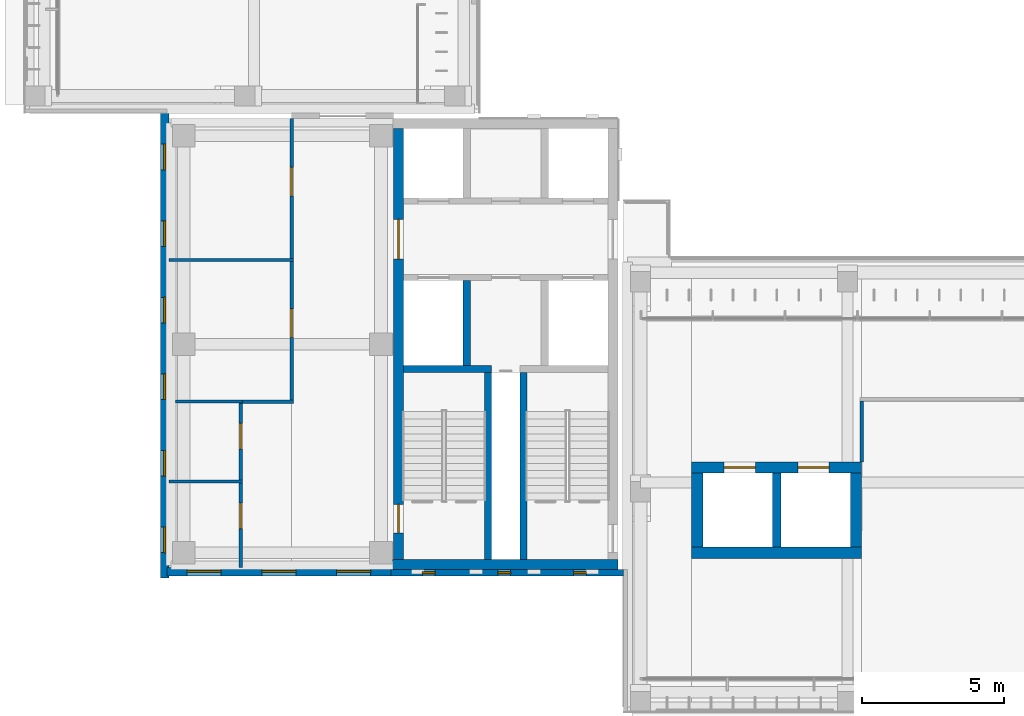
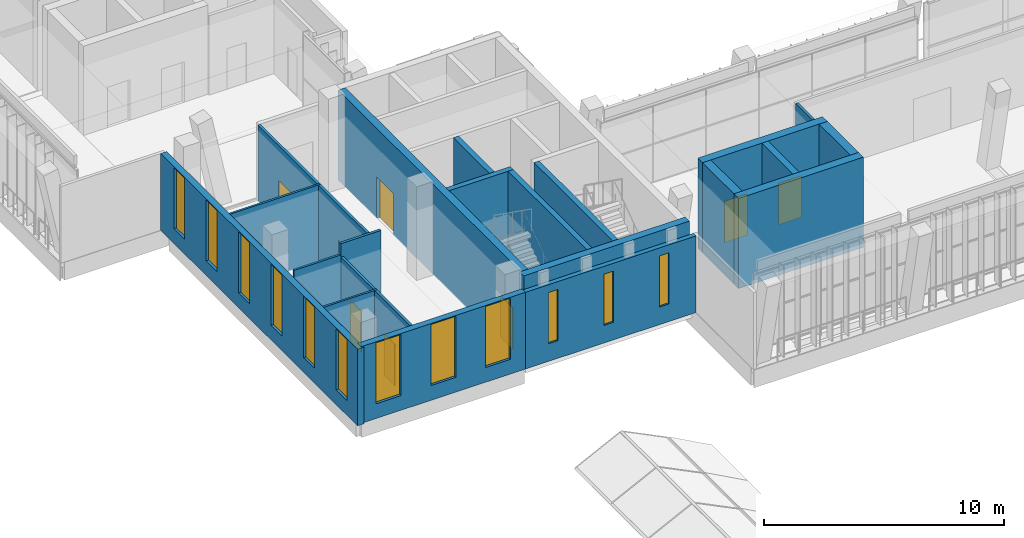
# One storey, part 42 of 73: 21 walls, 12 windows, 8 doors, 20 openings.
"""IFC4 building model written with IfcOpenShell, lengths in metres."""

from ifc_helpers import new_model, si_unit, direction, frame, frame_2d, origin, place, context, subcontext, project, spatial, rectangle, extrude, material, layer, layer_set, type_object, element, fill, save


model = new_model("IFC4")

# Units and contexts
model_context = context("Model", 3, precision=1e-05, world=origin(), true_north=direction((0.0, 1.0)))
body_context = subcontext(model_context, "Body", "Model", "MODEL_VIEW")
ifc_project = project(units=[si_unit("LENGTHUNIT", "METRE"), si_unit("AREAUNIT", "SQUARE_METRE"), si_unit("VOLUMEUNIT", "CUBIC_METRE"), si_unit("PLANEANGLEUNIT", "RADIAN"), si_unit("MASSUNIT", "GRAM", prefix="KILO")], contexts=[model_context])

# Site, building, storey
site_placement = place(None, origin())
site = spatial("IfcSite", under=ifc_project, at=site_placement, CompositionType="ELEMENT")
building_placement = place(site_placement, origin())
building = spatial("IfcBuilding", under=site, at=building_placement, Name="Lantern Court Media Centre", CompositionType="ELEMENT")
storey_placement = place(building_placement, frame((0.0, 0.0, 24.0)))
storey = spatial("IfcBuildingStorey", under=building, at=storey_placement, Name="L05", CompositionType="ELEMENT", Elevation=24.0)

# Wall
ifc_material_1 = material(Name="Gypsum board partition")
ifc_layer_1 = layer(ifc_material_1, 0.125)
ifc_layer_set_1 = layer_set([ifc_layer_1], Name="Gypsum board partition")
wall_type_1 = type_object("IfcWallType", Name="Corridor partition 125", PredefinedType="PARTITIONING", material=ifc_layer_set_1)
wall_1_placement = place(storey_placement, frame((32.5, 51.800048828125, 0.0), z_axis=(0.0, 0.0, 1.0), x_axis=(0.0, 1.0, 0.0)))
element("IfcWall", 1, at=wall_1_placement, inside=storey, type_object=wall_type_1, Name="L05 partition 000", PredefinedType="PARTITIONING", context=body_context, shape_type="SweptSolid", body=[
    extrude(rectangle(XDim=2.137451171875, YDim=0.125, at=frame_2d((1.06884765625, 0.0))), origin(), (0.0, 0.0, 1.0), 3.97998046875),
])

# Wall, openings, doors
wall_2_placement = place(storey_placement, frame((12.39990234375, 53.98583984375, 0.0), z_axis=(0.0, 0.0, 1.0), x_axis=(0.0, 1.0, 0.0)))
wall_2 = element("IfcWall", 2, at=wall_2_placement, inside=storey, type_object=wall_type_1, Name="L05 partition 025", PredefinedType="PARTITIONING", context=body_context, shape_type="SweptSolid", body=[
    extrude(rectangle(XDim=9.9140625, YDim=0.125, at=frame_2d((4.95703125, 0.0))), origin(), (0.0, 0.0, 1.0), 3.8798828125),
])
opening_1_placement = place(wall_2_placement, frame((2.20654296875, 0.0, 0.0)))
opening_1 = element("IfcOpeningElement", 3, at=opening_1_placement, cuts=wall_2, Name="Opening L05-015", PredefinedType="OPENING", context=body_context, shape_type="SweptSolid", body=[
    extrude(rectangle(XDim=1.0, YDim=2.10009765625, at=frame_2d((0.5, 1.050048828125))), frame((0.0, 0.072509765625, 0.0), z_axis=(0.0, -1.0, 0.0), x_axis=(1.0, 0.0, 0.0)), (0.0, 0.0, 1.0), 0.14501953125),
])
opening_2_placement = place(wall_2_placement, frame((7.195068359375, 0.0, 0.0)))
opening_2 = element("IfcOpeningElement", 4, at=opening_2_placement, cuts=wall_2, Name="Opening L05-016", PredefinedType="OPENING", context=body_context, shape_type="SweptSolid", body=[
    extrude(rectangle(XDim=1.0, YDim=2.10009765625, at=frame_2d((0.5, 1.050048828125))), frame((0.0, 0.072509765625, 0.0), z_axis=(0.0, -1.0, 0.0), x_axis=(1.0, 0.0, 0.0)), (0.0, 0.0, 1.0), 0.14501953125),
])
ifc_material_2 = material(Name="Solid-core timber door leaf", Category="wood")
door_type_1 = type_object("IfcDoorType", Name="Single door 1000x2100", OperationType="NOTDEFINED", PredefinedType="DOOR", material=ifc_material_2)
door_1_placement = place(opening_1_placement, origin())
door_1 = element("IfcDoor", 5, at=door_1_placement, inside=storey, type_object=door_type_1, Name="L05 Community Room 04 door", OperationType="SINGLE_SWING_RIGHT", OverallHeight=2.10009765625, OverallWidth=1.0, PredefinedType="DOOR", context=body_context, shape_type="SweptSolid", body=[
    extrude(rectangle(XDim=1.0, YDim=2.10009765625, at=frame_2d((0.5, 1.050048828125))), frame((0.0, 0.02490234375, 0.0), z_axis=(0.0, -1.0, 0.0), x_axis=(1.0, 0.0, 0.0)), (0.0, 0.0, 1.0), 0.050048828125),
])
fill(opening_1, door_1)
door_2_placement = place(opening_2_placement, origin())
door_2 = element("IfcDoor", 6, at=door_2_placement, inside=storey, type_object=door_type_1, Name="L05 Community Room 05 door", OperationType="SINGLE_SWING_LEFT", OverallHeight=2.10009765625, OverallWidth=1.0, PredefinedType="DOOR", context=body_context, shape_type="SweptSolid", body=[
    extrude(rectangle(XDim=1.0, YDim=2.10009765625, at=frame_2d((0.5, 1.050048828125))), frame((0.0, 0.02490234375, 0.0), z_axis=(0.0, -1.0, 0.0), x_axis=(1.0, 0.0, 0.0)), (0.0, 0.0, 1.0), 0.050048828125),
])
fill(opening_2, door_2)

# Wall
wall_3_placement = place(storey_placement, frame((10.53759765625, 53.923095703125, 0.0), z_axis=(0.0, 0.0, 1.0), x_axis=(1.0, 0.0, 0.0)))
element("IfcWall", 7, at=wall_3_placement, inside=storey, type_object=wall_type_1, Name="L05 partition 028", PredefinedType="PARTITIONING", context=body_context, shape_type="SweptSolid", body=[
    extrude(rectangle(XDim=1.9248046875, YDim=0.125, at=frame_2d((0.96240234375, 0.0))), origin(), (0.0, 0.0, 1.0), 4.56005859375),
])

# Wall, openings, doors
wall_4_placement = place(storey_placement, frame((10.60009765625, 48.080078125, 0.0), z_axis=(0.0, 0.0, 1.0), x_axis=(0.0, 1.0, 0.0)))
wall_4 = element("IfcWall", 8, at=wall_4_placement, inside=storey, type_object=wall_type_1, Name="L05 partition 030", PredefinedType="PARTITIONING", context=body_context, shape_type="SweptSolid", body=[
    extrude(rectangle(XDim=5.78076171875, YDim=0.125, at=frame_2d((2.890380859375, 0.0))), origin(), (0.0, 0.0, 1.0), 3.8798828125),
])
opening_3_placement = place(wall_4_placement, frame((1.36767578125, 0.0, 0.0)))
opening_3 = element("IfcOpeningElement", 9, at=opening_3_placement, cuts=wall_4, Name="Opening L05-017", PredefinedType="OPENING", context=body_context, shape_type="SweptSolid", body=[
    extrude(rectangle(XDim=0.89990234375, YDim=2.10009765625, at=frame_2d((0.449951171875, 1.050048828125))), frame((0.0, 0.072509765625, 0.0), z_axis=(0.0, -1.0, 0.0), x_axis=(1.0, 0.0, 0.0)), (0.0, 0.0, 1.0), 0.14501953125),
])
opening_4_placement = place(wall_4_placement, frame((4.17919921875, 0.0, 0.0)))
opening_4 = element("IfcOpeningElement", 10, at=opening_4_placement, cuts=wall_4, Name="Opening L05-018", PredefinedType="OPENING", context=body_context, shape_type="SweptSolid", body=[
    extrude(rectangle(XDim=0.89990234375, YDim=2.10009765625, at=frame_2d((0.449951171875, 1.050048828125))), frame((0.0, 0.072509765625, 0.0), z_axis=(0.0, -1.0, 0.0), x_axis=(1.0, 0.0, 0.0)), (0.0, 0.0, 1.0), 0.14501953125),
])
door_type_2 = type_object("IfcDoorType", Name="Single door 900x2100", OperationType="NOTDEFINED", PredefinedType="DOOR", material=ifc_material_2)
door_3_placement = place(opening_3_placement, origin())
door_3 = element("IfcDoor", 11, at=door_3_placement, inside=storey, type_object=door_type_2, Name="L05 WC Male door", OperationType="SINGLE_SWING_RIGHT", OverallHeight=2.10009765625, OverallWidth=0.89990234375, PredefinedType="DOOR", context=body_context, shape_type="SweptSolid", body=[
    extrude(rectangle(XDim=0.89990234375, YDim=2.10009765625, at=frame_2d((0.449951171875, 1.050048828125))), frame((0.0, 0.02490234375, 0.0), z_axis=(0.0, -1.0, 0.0), x_axis=(1.0, 0.0, 0.0)), (0.0, 0.0, 1.0), 0.050048828125),
])
fill(opening_3, door_3)
door_4_placement = place(opening_4_placement, origin())
door_4 = element("IfcDoor", 12, at=door_4_placement, inside=storey, type_object=door_type_2, Name="L05 WC Female door", OperationType="SINGLE_SWING_LEFT", OverallHeight=2.10009765625, OverallWidth=0.89990234375, PredefinedType="DOOR", context=body_context, shape_type="SweptSolid", body=[
    extrude(rectangle(XDim=0.89990234375, YDim=2.10009765625, at=frame_2d((0.449951171875, 1.050048828125))), frame((0.0, 0.02490234375, 0.0), z_axis=(0.0, -1.0, 0.0), x_axis=(1.0, 0.0, 0.0)), (0.0, 0.0, 1.0), 0.050048828125),
])
fill(opening_4, door_4)

# Wall, openings, windows
ifc_material_3 = material(Name="Honed limestone cladding on blockwork", Category="masonry")
ifc_layer_2 = layer(ifc_material_3, 0.300048828125)
ifc_layer_set_2 = layer_set([ifc_layer_2], Name="Honed limestone cladding on blockwork")
wall_type_2 = type_object("IfcWallType", Name="Limestone block wall 300", PredefinedType="SOLIDWALL", material=ifc_layer_set_2)
wall_5_placement = place(storey_placement, frame((7.929931640625, 47.699951171875, 0.0), z_axis=(0.0, 0.0, 1.0), x_axis=(0.0, 1.0, 0.0)))
wall_5 = element("IfcWall", 13, at=wall_5_placement, inside=storey, type_object=wall_type_2, Name="Limestone wall SW W L05", PredefinedType="SOLIDWALL", context=body_context, shape_type="SweptSolid", body=[
    extrude(rectangle(XDim=16.400146484375, YDim=0.300048828125, at=frame_2d((8.2001953125, 0.0))), origin(), (0.0, 0.0, 1.0), 3.89990234375),
])
opening_5_placement = place(wall_5_placement, frame((0.89990234375, 0.0, 0.75)))
opening_5 = element("IfcOpeningElement", 14, at=opening_5_placement, cuts=wall_5, Name="Opening WN-N", PredefinedType="OPENING", context=body_context, shape_type="SweptSolid", body=[
    extrude(rectangle(XDim=0.89990234375, YDim=3.10009765625, at=frame_2d((0.449951171875, 1.550048828125))), frame((0.0, 0.159912109375, 0.0), z_axis=(0.0, -1.0, 0.0), x_axis=(1.0, 0.0, 0.0)), (0.0, 0.0, 1.0), 0.320068359375),
])
opening_6_placement = place(wall_5_placement, frame((3.60009765625, 0.0, 0.75)))
opening_6 = element("IfcOpeningElement", 15, at=opening_6_placement, cuts=wall_5, Name="Opening WN-N", PredefinedType="OPENING", context=body_context, shape_type="SweptSolid", body=[
    extrude(rectangle(XDim=0.89990234375, YDim=3.10009765625, at=frame_2d((0.449951171875, 1.550048828125))), frame((0.0, 0.159912109375, 0.0), z_axis=(0.0, -1.0, 0.0), x_axis=(1.0, 0.0, 0.0)), (0.0, 0.0, 1.0), 0.320068359375),
])
opening_7_placement = place(wall_5_placement, frame((6.300048828125, 0.0, 0.75)))
opening_7 = element("IfcOpeningElement", 16, at=opening_7_placement, cuts=wall_5, Name="Opening WN-N", PredefinedType="OPENING", context=body_context, shape_type="SweptSolid", body=[
    extrude(rectangle(XDim=0.89990234375, YDim=3.10009765625, at=frame_2d((0.449951171875, 1.550048828125))), frame((0.0, 0.159912109375, 0.0), z_axis=(0.0, -1.0, 0.0), x_axis=(1.0, 0.0, 0.0)), (0.0, 0.0, 1.0), 0.320068359375),
])
opening_8_placement = place(wall_5_placement, frame((9.0, 0.0, 0.75)))
opening_8 = element("IfcOpeningElement", 17, at=opening_8_placement, cuts=wall_5, Name="Opening WN-N", PredefinedType="OPENING", context=body_context, shape_type="SweptSolid", body=[
    extrude(rectangle(XDim=0.89990234375, YDim=3.10009765625, at=frame_2d((0.449951171875, 1.550048828125))), frame((0.0, 0.159912109375, 0.0), z_axis=(0.0, -1.0, 0.0), x_axis=(1.0, 0.0, 0.0)), (0.0, 0.0, 1.0), 0.320068359375),
])
opening_9_placement = place(wall_5_placement, frame((11.699951171875, 0.0, 0.75)))
opening_9 = element("IfcOpeningElement", 18, at=opening_9_placement, cuts=wall_5, Name="Opening WN-N", PredefinedType="OPENING", context=body_context, shape_type="SweptSolid", body=[
    extrude(rectangle(XDim=0.89990234375, YDim=3.10009765625, at=frame_2d((0.449951171875, 1.550048828125))), frame((0.0, 0.159912109375, 0.0), z_axis=(0.0, -1.0, 0.0), x_axis=(1.0, 0.0, 0.0)), (0.0, 0.0, 1.0), 0.320068359375),
])
opening_10_placement = place(wall_5_placement, frame((14.39990234375, 0.0, 0.75)))
opening_10 = element("IfcOpeningElement", 19, at=opening_10_placement, cuts=wall_5, Name="Opening WN-N", PredefinedType="OPENING", context=body_context, shape_type="SweptSolid", body=[
    extrude(rectangle(XDim=0.89990234375, YDim=3.10009765625, at=frame_2d((0.449951171875, 1.550048828125))), frame((0.0, 0.159912109375, 0.0), z_axis=(0.0, -1.0, 0.0), x_axis=(1.0, 0.0, 0.0)), (0.0, 0.0, 1.0), 0.320068359375),
])
ifc_material_4 = material(Name="Anodised aluminium and glass", Category="aluminium")
window_type_1 = type_object("IfcWindowType", Name="Pier window 900x3100", PartitioningType="SINGLE_PANEL", PredefinedType="WINDOW", material=ifc_material_4)
window_1_placement = place(opening_5_placement, origin())
window_1 = element("IfcWindow", 20, at=window_1_placement, inside=storey, type_object=window_type_1, Name="Window SW W L05", OverallHeight=3.10009765625, OverallWidth=0.89990234375, PartitioningType="SINGLE_PANEL", PredefinedType="WINDOW", context=body_context, shape_type="SweptSolid", body=[
    extrude(rectangle(XDim=0.89990234375, YDim=3.10009765625, at=frame_2d((0.449951171875, 1.550048828125))), frame((0.0, 0.030029296875, 0.0), z_axis=(0.0, -1.0, 0.0), x_axis=(1.0, 0.0, 0.0)), (0.0, 0.0, 1.0), 0.06005859375),
])
fill(opening_5, window_1)
window_2_placement = place(opening_6_placement, origin())
window_2 = element("IfcWindow", 21, at=window_2_placement, inside=storey, type_object=window_type_1, Name="Window SW W L05", OverallHeight=3.10009765625, OverallWidth=0.89990234375, PartitioningType="SINGLE_PANEL", PredefinedType="WINDOW", context=body_context, shape_type="SweptSolid", body=[
    extrude(rectangle(XDim=0.89990234375, YDim=3.10009765625, at=frame_2d((0.449951171875, 1.550048828125))), frame((0.0, 0.030029296875, 0.0), z_axis=(0.0, -1.0, 0.0), x_axis=(1.0, 0.0, 0.0)), (0.0, 0.0, 1.0), 0.06005859375),
])
fill(opening_6, window_2)
window_3_placement = place(opening_7_placement, origin())
window_3 = element("IfcWindow", 22, at=window_3_placement, inside=storey, type_object=window_type_1, Name="Window SW W L05", OverallHeight=3.10009765625, OverallWidth=0.89990234375, PartitioningType="SINGLE_PANEL", PredefinedType="WINDOW", context=body_context, shape_type="SweptSolid", body=[
    extrude(rectangle(XDim=0.89990234375, YDim=3.10009765625, at=frame_2d((0.449951171875, 1.550048828125))), frame((0.0, 0.030029296875, 0.0), z_axis=(0.0, -1.0, 0.0), x_axis=(1.0, 0.0, 0.0)), (0.0, 0.0, 1.0), 0.06005859375),
])
fill(opening_7, window_3)
window_4_placement = place(opening_8_placement, origin())
window_4 = element("IfcWindow", 23, at=window_4_placement, inside=storey, type_object=window_type_1, Name="Window SW W L05", OverallHeight=3.10009765625, OverallWidth=0.89990234375, PartitioningType="SINGLE_PANEL", PredefinedType="WINDOW", context=body_context, shape_type="SweptSolid", body=[
    extrude(rectangle(XDim=0.89990234375, YDim=3.10009765625, at=frame_2d((0.449951171875, 1.550048828125))), frame((0.0, 0.030029296875, 0.0), z_axis=(0.0, -1.0, 0.0), x_axis=(1.0, 0.0, 0.0)), (0.0, 0.0, 1.0), 0.06005859375),
])
fill(opening_8, window_4)
window_5_placement = place(opening_9_placement, origin())
window_5 = element("IfcWindow", 24, at=window_5_placement, inside=storey, type_object=window_type_1, Name="Window SW W L05", OverallHeight=3.10009765625, OverallWidth=0.89990234375, PartitioningType="SINGLE_PANEL", PredefinedType="WINDOW", context=body_context, shape_type="SweptSolid", body=[
    extrude(rectangle(XDim=0.89990234375, YDim=3.10009765625, at=frame_2d((0.449951171875, 1.550048828125))), frame((0.0, 0.030029296875, 0.0), z_axis=(0.0, -1.0, 0.0), x_axis=(1.0, 0.0, 0.0)), (0.0, 0.0, 1.0), 0.06005859375),
])
fill(opening_9, window_5)
window_6_placement = place(opening_10_placement, origin())
window_6 = element("IfcWindow", 25, at=window_6_placement, inside=storey, type_object=window_type_1, Name="Window SW W L05", OverallHeight=3.10009765625, OverallWidth=0.89990234375, PartitioningType="SINGLE_PANEL", PredefinedType="WINDOW", context=body_context, shape_type="SweptSolid", body=[
    extrude(rectangle(XDim=0.89990234375, YDim=3.10009765625, at=frame_2d((0.449951171875, 1.550048828125))), frame((0.0, 0.030029296875, 0.0), z_axis=(0.0, -1.0, 0.0), x_axis=(1.0, 0.0, 0.0)), (0.0, 0.0, 1.0), 0.06005859375),
])
fill(opening_10, window_6)

wall_6_placement = place(storey_placement, frame((8.0, 47.929931640625, 0.0), z_axis=(0.0, 0.0, 1.0), x_axis=(1.0, 0.0, 0.0)))
wall_6 = element("IfcWall", 26, at=wall_6_placement, inside=storey, type_object=wall_type_2, Name="Limestone wall SW S L05", PredefinedType="SOLIDWALL", context=body_context, shape_type="SweptSolid", body=[
    extrude(rectangle(XDim=7.89990234375, YDim=0.300048828125, at=frame_2d((3.949951171875, 0.0))), origin(), (0.0, 0.0, 1.0), 3.89990234375),
])
opening_11_placement = place(wall_6_placement, frame((0.716552734375, 0.0, 0.75)))
opening_11 = element("IfcOpeningElement", 27, at=opening_11_placement, cuts=wall_6, Name="Opening WN-T", PredefinedType="OPENING", context=body_context, shape_type="SweptSolid", body=[
    extrude(rectangle(XDim=1.199951171875, YDim=3.10009765625, at=frame_2d((0.60009765625, 1.550048828125))), frame((0.0, 0.159912109375, 0.0), z_axis=(0.0, -1.0, 0.0), x_axis=(1.0, 0.0, 0.0)), (0.0, 0.0, 1.0), 0.320068359375),
])
opening_12_placement = place(wall_6_placement, frame((3.35009765625, 0.0, 0.75)))
opening_12 = element("IfcOpeningElement", 28, at=opening_12_placement, cuts=wall_6, Name="Opening WN-T", PredefinedType="OPENING", context=body_context, shape_type="SweptSolid", body=[
    extrude(rectangle(XDim=1.199951171875, YDim=3.10009765625, at=frame_2d((0.60009765625, 1.550048828125))), frame((0.0, 0.159912109375, 0.0), z_axis=(0.0, -1.0, 0.0), x_axis=(1.0, 0.0, 0.0)), (0.0, 0.0, 1.0), 0.320068359375),
])
opening_13_placement = place(wall_6_placement, frame((5.9833984375, 0.0, 0.75)))
opening_13 = element("IfcOpeningElement", 29, at=opening_13_placement, cuts=wall_6, Name="Opening WN-T", PredefinedType="OPENING", context=body_context, shape_type="SweptSolid", body=[
    extrude(rectangle(XDim=1.199951171875, YDim=3.10009765625, at=frame_2d((0.60009765625, 1.550048828125))), frame((0.0, 0.159912109375, 0.0), z_axis=(0.0, -1.0, 0.0), x_axis=(1.0, 0.0, 0.0)), (0.0, 0.0, 1.0), 0.320068359375),
])
window_type_2 = type_object("IfcWindowType", Name="Tall window 1200x3100", PartitioningType="SINGLE_PANEL", PredefinedType="WINDOW", material=ifc_material_4)
window_7_placement = place(opening_11_placement, origin())
window_7 = element("IfcWindow", 30, at=window_7_placement, inside=storey, type_object=window_type_2, Name="Window SW S L05", OverallHeight=3.10009765625, OverallWidth=1.199951171875, PartitioningType="SINGLE_PANEL", PredefinedType="WINDOW", context=body_context, shape_type="SweptSolid", body=[
    extrude(rectangle(XDim=1.199951171875, YDim=3.10009765625, at=frame_2d((0.60009765625, 1.550048828125))), frame((0.0, 0.030029296875, 0.0), z_axis=(0.0, -1.0, 0.0), x_axis=(1.0, 0.0, 0.0)), (0.0, 0.0, 1.0), 0.06005859375),
])
fill(opening_11, window_7)
window_8_placement = place(opening_12_placement, origin())
window_8 = element("IfcWindow", 31, at=window_8_placement, inside=storey, type_object=window_type_2, Name="Window SW S L05", OverallHeight=3.10009765625, OverallWidth=1.199951171875, PartitioningType="SINGLE_PANEL", PredefinedType="WINDOW", context=body_context, shape_type="SweptSolid", body=[
    extrude(rectangle(XDim=1.199951171875, YDim=3.10009765625, at=frame_2d((0.60009765625, 1.550048828125))), frame((0.0, 0.030029296875, 0.0), z_axis=(0.0, -1.0, 0.0), x_axis=(1.0, 0.0, 0.0)), (0.0, 0.0, 1.0), 0.06005859375),
])
fill(opening_12, window_8)
window_9_placement = place(opening_13_placement, origin())
window_9 = element("IfcWindow", 32, at=window_9_placement, inside=storey, type_object=window_type_2, Name="Window SW S L05", OverallHeight=3.10009765625, OverallWidth=1.199951171875, PartitioningType="SINGLE_PANEL", PredefinedType="WINDOW", context=body_context, shape_type="SweptSolid", body=[
    extrude(rectangle(XDim=1.199951171875, YDim=3.10009765625, at=frame_2d((0.60009765625, 1.550048828125))), frame((0.0, 0.030029296875, 0.0), z_axis=(0.0, -1.0, 0.0), x_axis=(1.0, 0.0, 0.0)), (0.0, 0.0, 1.0), 0.06005859375),
])
fill(opening_13, window_9)

ifc_material_5 = material(Name="Honed limestone cladding on blockwork, reduced to 220 where it passes the core wall", Category="masonry")
ifc_layer_3 = layer(ifc_material_5, 0.219970703125)
ifc_layer_set_3 = layer_set([ifc_layer_3], Name="Honed limestone cladding on blockwork, reduced to 220 where it passes the core wall")
wall_type_3 = type_object("IfcWallType", Name="Limestone skin wall 220", PredefinedType="SOLIDWALL", material=ifc_layer_set_3)
wall_7_placement = place(storey_placement, frame((15.89990234375, 47.889892578125, 0.0), z_axis=(0.0, 0.0, 1.0), x_axis=(1.0, 0.0, 0.0)))
wall_7 = element("IfcWall", 33, at=wall_7_placement, inside=storey, type_object=wall_type_3, Name="Limestone wall SW S L05", PredefinedType="SOLIDWALL", context=body_context, shape_type="SweptSolid", body=[
    extrude(rectangle(XDim=8.2001953125, YDim=0.219970703125, at=frame_2d((4.10009765625, 0.0))), origin(), (0.0, 0.0, 1.0), 3.89990234375),
])
opening_14_placement = place(wall_7_placement, frame((1.1083984375, 0.0, 0.89990234375)))
opening_14 = element("IfcOpeningElement", 34, at=opening_14_placement, cuts=wall_7, Name="Opening WN-S", PredefinedType="OPENING", context=body_context, shape_type="SweptSolid", body=[
    extrude(rectangle(XDim=0.449951171875, YDim=2.60009765625, at=frame_2d((0.22509765625, 1.300048828125))), frame((0.0, 0.119873046875, 0.0), z_axis=(0.0, -1.0, 0.0), x_axis=(1.0, 0.0, 0.0)), (0.0, 0.0, 1.0), 0.239990234375),
])
opening_15_placement = place(wall_7_placement, frame((3.77490234375, 0.0, 0.89990234375)))
opening_15 = element("IfcOpeningElement", 35, at=opening_15_placement, cuts=wall_7, Name="Opening WN-S", PredefinedType="OPENING", context=body_context, shape_type="SweptSolid", body=[
    extrude(rectangle(XDim=0.449951171875, YDim=2.60009765625, at=frame_2d((0.22509765625, 1.300048828125))), frame((0.0, 0.119873046875, 0.0), z_axis=(0.0, -1.0, 0.0), x_axis=(1.0, 0.0, 0.0)), (0.0, 0.0, 1.0), 0.239990234375),
])
opening_16_placement = place(wall_7_placement, frame((6.441650390625, 0.0, 0.89990234375)))
opening_16 = element("IfcOpeningElement", 36, at=opening_16_placement, cuts=wall_7, Name="Opening WN-S", PredefinedType="OPENING", context=body_context, shape_type="SweptSolid", body=[
    extrude(rectangle(XDim=0.449951171875, YDim=2.60009765625, at=frame_2d((0.22509765625, 1.300048828125))), frame((0.0, 0.119873046875, 0.0), z_axis=(0.0, -1.0, 0.0), x_axis=(1.0, 0.0, 0.0)), (0.0, 0.0, 1.0), 0.239990234375),
])
window_type_3 = type_object("IfcWindowType", Name="Stair slit window 450x2600", PartitioningType="SINGLE_PANEL", PredefinedType="WINDOW", material=ifc_material_4)
window_10_placement = place(opening_14_placement, origin())
window_10 = element("IfcWindow", 37, at=window_10_placement, inside=storey, type_object=window_type_3, Name="Window SW S L05", OverallHeight=2.60009765625, OverallWidth=0.449951171875, PartitioningType="SINGLE_PANEL", PredefinedType="WINDOW", context=body_context, shape_type="SweptSolid", body=[
    extrude(rectangle(XDim=0.449951171875, YDim=2.60009765625, at=frame_2d((0.22509765625, 1.300048828125))), frame((0.0, 0.030029296875, 0.0), z_axis=(0.0, -1.0, 0.0), x_axis=(1.0, 0.0, 0.0)), (0.0, 0.0, 1.0), 0.06005859375),
])
fill(opening_14, window_10)
window_11_placement = place(opening_15_placement, origin())
window_11 = element("IfcWindow", 38, at=window_11_placement, inside=storey, type_object=window_type_3, Name="Window SW S L05", OverallHeight=2.60009765625, OverallWidth=0.449951171875, PartitioningType="SINGLE_PANEL", PredefinedType="WINDOW", context=body_context, shape_type="SweptSolid", body=[
    extrude(rectangle(XDim=0.449951171875, YDim=2.60009765625, at=frame_2d((0.22509765625, 1.300048828125))), frame((0.0, 0.030029296875, 0.0), z_axis=(0.0, -1.0, 0.0), x_axis=(1.0, 0.0, 0.0)), (0.0, 0.0, 1.0), 0.06005859375),
])
fill(opening_15, window_11)
window_12_placement = place(opening_16_placement, origin())
window_12 = element("IfcWindow", 39, at=window_12_placement, inside=storey, type_object=window_type_3, Name="Window SW S L05", OverallHeight=2.60009765625, OverallWidth=0.449951171875, PartitioningType="SINGLE_PANEL", PredefinedType="WINDOW", context=body_context, shape_type="SweptSolid", body=[
    extrude(rectangle(XDim=0.449951171875, YDim=2.60009765625, at=frame_2d((0.22509765625, 1.300048828125))), frame((0.0, 0.030029296875, 0.0), z_axis=(0.0, -1.0, 0.0), x_axis=(1.0, 0.0, 0.0)), (0.0, 0.0, 1.0), 0.06005859375),
])
fill(opening_16, window_12)

# Walls
ifc_layer_4 = layer(ifc_material_1, 0.10009765625)
ifc_layer_set_4 = layer_set([ifc_layer_4], Name="Gypsum board partition")
wall_type_4 = type_object("IfcWallType", Name="Partition 100", PredefinedType="PARTITIONING", material=ifc_layer_set_4)
wall_8_placement = place(storey_placement, frame((8.300048828125, 53.923095703125, 0.0), z_axis=(0.0, 0.0, 1.0), x_axis=(1.0, 0.0, 0.0)))
element("IfcWall", 40, at=wall_8_placement, inside=storey, type_object=wall_type_4, Name="L05 partition 027", PredefinedType="PARTITIONING", context=body_context, shape_type="SweptSolid", body=[
    extrude(rectangle(XDim=2.362548828125, YDim=0.10009765625, at=frame_2d((1.18115234375, 0.0))), origin(), (0.0, 0.0, 1.0), 3.97998046875),
])
wall_9_placement = place(storey_placement, frame((8.080078125, 58.912109375, 0.0), z_axis=(0.0, 0.0, 1.0), x_axis=(1.0, 0.0, 0.0)))
element("IfcWall", 41, at=wall_9_placement, inside=storey, type_object=wall_type_4, Name="L05 partition 029", PredefinedType="PARTITIONING", context=body_context, shape_type="SweptSolid", body=[
    extrude(rectangle(XDim=4.38232421875, YDim=0.10009765625, at=frame_2d((2.191162109375, 0.0))), origin(), (0.0, 0.0, 1.0), 3.8798828125),
])
wall_10_placement = place(storey_placement, frame((8.080078125, 51.112060546875, 0.0), z_axis=(0.0, 0.0, 1.0), x_axis=(1.0, 0.0, 0.0)))
element("IfcWall", 42, at=wall_10_placement, inside=storey, type_object=wall_type_4, Name="L05 partition 032", PredefinedType="PARTITIONING", context=body_context, shape_type="SweptSolid", body=[
    extrude(rectangle(XDim=2.58251953125, YDim=0.10009765625, at=frame_2d((1.291259765625, 0.0))), origin(), (0.0, 0.0, 1.0), 3.8798828125),
])
ifc_material_6 = material(Name="Concrete C40", Category="concrete")
ifc_layer_5 = layer(ifc_material_6, 0.35009765625)
ifc_layer_set_5 = layer_set([ifc_layer_5], Name="Concrete C40")
wall_type_5 = type_object("IfcWallType", Name="RC CORE WALL 350", PredefinedType="SHEAR", material=ifc_layer_set_5)
wall_11_placement = place(storey_placement, frame((15.949951171875, 48.175048828125, 0.0), z_axis=(0.0, 0.0, 1.0), x_axis=(1.0, 0.0, 0.0)))
element("IfcWall", 43, at=wall_11_placement, inside=storey, type_object=wall_type_5, Name="WC-SW-L05-S", PredefinedType="SHEAR", context=body_context, shape_type="SweptSolid", body=[
    extrude(rectangle(XDim=7.949951171875, YDim=0.35009765625, at=frame_2d((3.97509765625, 0.0))), origin(), (0.0, 0.0, 1.0), 4.580078125),
])

# Wall, openings, doors
wall_12_placement = place(storey_placement, frame((16.175048828125, 48.35009765625, 0.0), z_axis=(0.0, 0.0, 1.0), x_axis=(0.0, 1.0, 0.0)))
wall_12 = element("IfcWall", 44, at=wall_12_placement, inside=storey, type_object=wall_type_5, Name="WC-SW-L05-W", PredefinedType="SHEAR", context=body_context, shape_type="SweptSolid", body=[
    extrude(rectangle(XDim=15.199951171875, YDim=0.35009765625, at=frame_2d((7.60009765625, 0.0))), origin(), (0.0, 0.0, 1.0), 4.580078125),
])
opening_17_placement = place(wall_12_placement, frame((0.949951171875, 0.0, 0.0)))
opening_17 = element("IfcOpeningElement", 45, at=opening_17_placement, cuts=wall_12, Name="Opening SW-L05-01", PredefinedType="OPENING", context=body_context, shape_type="SweptSolid", body=[
    extrude(rectangle(XDim=1.0, YDim=2.10009765625, at=frame_2d((0.5, 1.050048828125))), frame((0.0, 0.18505859375, 0.0), z_axis=(0.0, -1.0, 0.0), x_axis=(1.0, 0.0, 0.0)), (0.0, 0.0, 1.0), 0.3701171875),
])
opening_18_placement = place(wall_12_placement, frame((10.60009765625, 0.0, 0.0)))
opening_18 = element("IfcOpeningElement", 46, at=opening_18_placement, cuts=wall_12, Name="Opening SW-L05-05", PredefinedType="OPENING", context=body_context, shape_type="SweptSolid", body=[
    extrude(rectangle(XDim=1.39990234375, YDim=2.10009765625, at=frame_2d((0.699951171875, 1.050048828125))), frame((0.0, 0.18505859375, 0.0), z_axis=(0.0, -1.0, 0.0), x_axis=(1.0, 0.0, 0.0)), (0.0, 0.0, 1.0), 0.3701171875),
])
ifc_material_7 = material(Name="Steel door leaf", Category="steel")
door_type_3 = type_object("IfcDoorType", Name="Lift lobby double door 1400x2100", OperationType="NOTDEFINED", PredefinedType="DOOR", material=ifc_material_7)
door_5_placement = place(opening_18_placement, origin())
door_5 = element("IfcDoor", 47, at=door_5_placement, inside=storey, type_object=door_type_3, Name="L05 SW lift lobby west door", OperationType="SINGLE_SWING_LEFT", OverallHeight=2.10009765625, OverallWidth=1.39990234375, PredefinedType="DOOR", context=body_context, shape_type="SweptSolid", body=[
    extrude(rectangle(XDim=1.39990234375, YDim=2.10009765625, at=frame_2d((0.699951171875, 1.050048828125))), frame((0.0, 0.02490234375, 0.0), z_axis=(0.0, -1.0, 0.0), x_axis=(1.0, 0.0, 0.0)), (0.0, 0.0, 1.0), 0.050048828125),
])
fill(opening_18, door_5)
door_type_4 = type_object("IfcDoorType", Name="Stair door 1000x2100", OperationType="NOTDEFINED", PredefinedType="DOOR", material=ifc_material_7)
door_6_placement = place(opening_17_placement, origin())
door_6 = element("IfcDoor", 48, at=door_6_placement, inside=storey, type_object=door_type_4, Name="L05 SW stair A door", OperationType="SINGLE_SWING_LEFT", OverallHeight=2.10009765625, OverallWidth=1.0, PredefinedType="DOOR", context=body_context, shape_type="SweptSolid", body=[
    extrude(rectangle(XDim=1.0, YDim=2.10009765625, at=frame_2d((0.5, 1.050048828125))), frame((0.0, 0.02490234375, 0.0), z_axis=(0.0, -1.0, 0.0), x_axis=(1.0, 0.0, 0.0)), (0.0, 0.0, 1.0), 0.050048828125),
])
fill(opening_17, door_6)

# Walls
ifc_layer_6 = layer(ifc_material_6, 0.300048828125)
ifc_layer_set_6 = layer_set([ifc_layer_6], Name="Concrete C40")
wall_type_6 = type_object("IfcWallType", Name="RC SHEAR WALL 300", PredefinedType="SHEAR", material=ifc_layer_set_6)
wall_13_placement = place(storey_placement, frame((29.5, 48.800048828125, 0.0), z_axis=(0.0, 0.0, 1.0), x_axis=(0.0, 1.0, 0.0)))
element("IfcWall", 49, at=wall_13_placement, inside=storey, type_object=wall_type_6, Name="WB-S-LC1-L05-D", PredefinedType="SHEAR", context=body_context, shape_type="SweptSolid", body=[
    extrude(rectangle(XDim=2.599853515625, YDim=0.300048828125, at=frame_2d((1.2998046875, 0.0))), origin(), (0.0, 0.0, 1.0), 4.580078125),
])
ifc_layer_7 = layer(ifc_material_6, 0.39990234375)
ifc_layer_set_7 = layer_set([ifc_layer_7], Name="Concrete C40")
wall_type_7 = type_object("IfcWallType", Name="RC SHEAR WALL 400", PredefinedType="SHEAR", material=ifc_layer_set_7)
wall_14_placement = place(storey_placement, frame((26.5, 48.60009765625, 0.0), z_axis=(0.0, 0.0, 1.0), x_axis=(1.0, 0.0, 0.0)))
element("IfcWall", 50, at=wall_14_placement, inside=storey, type_object=wall_type_7, Name="WB-S-LC1-L05-S", PredefinedType="SHEAR", context=body_context, shape_type="SweptSolid", body=[
    extrude(rectangle(XDim=6.0, YDim=0.39990234375, at=frame_2d((3.0, 0.0))), origin(), (0.0, 0.0, 1.0), 4.580078125),
])

# Wall, openings, doors
wall_15_placement = place(storey_placement, frame((26.5, 51.60009765625, 0.0), z_axis=(0.0, 0.0, 1.0), x_axis=(1.0, 0.0, 0.0)))
wall_15 = element("IfcWall", 51, at=wall_15_placement, inside=storey, type_object=wall_type_7, Name="WB-S-LC1-L05-N", PredefinedType="SHEAR", context=body_context, shape_type="SweptSolid", body=[
    extrude(rectangle(XDim=6.0, YDim=0.39990234375, at=frame_2d((3.0, 0.0))), origin(), (0.0, 0.0, 1.0), 4.580078125),
])
opening_19_placement = place(wall_15_placement, frame((1.14990234375, 0.0, 0.0)))
opening_19 = element("IfcOpeningElement", 52, at=opening_19_placement, cuts=wall_15, Name="Opening LD-S-LC1P-L05", PredefinedType="OPENING", context=body_context, shape_type="SweptSolid", body=[
    extrude(rectangle(XDim=1.10009765625, YDim=2.10009765625, at=frame_2d((0.550048828125, 1.050048828125))), frame((0.0, 0.2099609375, 0.0), z_axis=(0.0, -1.0, 0.0), x_axis=(1.0, 0.0, 0.0)), (0.0, 0.0, 1.0), 0.419921875),
])
opening_20_placement = place(wall_15_placement, frame((3.75, 0.0, 0.0)))
opening_20 = element("IfcOpeningElement", 53, at=opening_20_placement, cuts=wall_15, Name="Opening LD-S-LC1S-L05", PredefinedType="OPENING", context=body_context, shape_type="SweptSolid", body=[
    extrude(rectangle(XDim=1.10009765625, YDim=2.10009765625, at=frame_2d((0.550048828125, 1.050048828125))), frame((0.0, 0.2099609375, 0.0), z_axis=(0.0, -1.0, 0.0), x_axis=(1.0, 0.0, 0.0)), (0.0, 0.0, 1.0), 0.419921875),
])
door_type_5 = type_object("IfcDoorType", Name="Lift landing door 1100x2100", OperationType="DOUBLE_DOOR_SLIDING", PredefinedType="DOOR", material=ifc_material_7)
door_7_placement = place(opening_19_placement, origin())
door_7 = element("IfcDoor", 54, at=door_7_placement, inside=storey, type_object=door_type_5, Name="L05 S-LC1 passenger lift landing door", OperationType="DOUBLE_DOOR_SLIDING", OverallHeight=2.10009765625, OverallWidth=1.10009765625, PredefinedType="DOOR", context=body_context, shape_type="SweptSolid", body=[
    extrude(rectangle(XDim=1.10009765625, YDim=2.10009765625, at=frame_2d((0.550048828125, 1.050048828125))), frame((0.0, 0.02490234375, 0.0), z_axis=(0.0, -1.0, 0.0), x_axis=(1.0, 0.0, 0.0)), (0.0, 0.0, 1.0), 0.050048828125),
])
fill(opening_19, door_7)
door_8_placement = place(opening_20_placement, origin())
door_8 = element("IfcDoor", 55, at=door_8_placement, inside=storey, type_object=door_type_5, Name="L05 S-LC1 service lift landing door", OperationType="DOUBLE_DOOR_SLIDING", OverallHeight=2.10009765625, OverallWidth=1.10009765625, PredefinedType="DOOR", context=body_context, shape_type="SweptSolid", body=[
    extrude(rectangle(XDim=1.10009765625, YDim=2.10009765625, at=frame_2d((0.550048828125, 1.050048828125))), frame((0.0, 0.02490234375, 0.0), z_axis=(0.0, -1.0, 0.0), x_axis=(1.0, 0.0, 0.0)), (0.0, 0.0, 1.0), 0.050048828125),
])
fill(opening_20, door_8)

# Walls
for number, where, z_axis, x_axis, name in (
    (56, (26.699951171875, 48.800048828125, 0.0), (0.0, 0.0, 1.0), (0.0, 1.0, 0.0), "WB-S-LC1-L05-W"),
    (57, (32.300048828125, 48.800048828125, 0.0), (0.0, 0.0, 1.0), (0.0, 1.0, 0.0), "WB-S-LC1-L05-E"),
):
    element("IfcWall", number, at=place(storey_placement, frame(where, z_axis=z_axis, x_axis=x_axis)), inside=storey, type_object=wall_type_7, Name=name, PredefinedType="SHEAR", context=body_context, shape_type="SweptSolid", body=[
        extrude(rectangle(XDim=2.599853515625, YDim=0.39990234375, at=frame_2d((1.2998046875, 0.0))), origin(), (0.0, 0.0, 1.0), 4.580078125),
    ])
ifc_layer_8 = layer(ifc_material_6, 0.25)
ifc_layer_set_8 = layer_set([ifc_layer_8], Name="Concrete C40")
wall_type_8 = type_object("IfcWallType", Name="RC lift shaft wall 250", PredefinedType="SOLIDWALL", material=ifc_layer_set_8)
wall_16_placement = place(storey_placement, frame((18.574951171875, 55.199951171875, 0.0), z_axis=(0.0, 0.0, 1.0), x_axis=(0.0, 1.0, 0.0)))
element("IfcWall", 58, at=wall_16_placement, inside=storey, type_object=wall_type_8, Name="L05 SW L1a", PredefinedType="SOLIDWALL", context=body_context, shape_type="SweptSolid", body=[
    extrude(rectangle(XDim=3.0, YDim=0.25, at=frame_2d((1.5, 0.0))), origin(), (0.0, 0.0, 1.0), 4.550048828125),
])
ifc_layer_9 = layer(ifc_material_6, 0.25)
ifc_layer_set_9 = layer_set([ifc_layer_9], Name="Concrete C40")
wall_type_9 = type_object("IfcWallType", Name="RC stair shaft wall 250", PredefinedType="SOLIDWALL", material=ifc_layer_set_9)
for number, where, z_axis, x_axis, name in (
    (59, (19.324951171875, 48.35009765625, 0.0), (0.0, 0.0, 1.0), (0.0, 1.0, 0.0), "L05 SW SA"),
    (60, (20.574951171875, 48.35009765625, 0.0), (0.0, 0.0, 1.0), (0.0, 1.0, 0.0), "L05 SW SB"),
):
    element("IfcWall", number, at=place(storey_placement, frame(where, z_axis=z_axis, x_axis=x_axis)), inside=storey, type_object=wall_type_9, Name=name, PredefinedType="SOLIDWALL", context=body_context, shape_type="SweptSolid", body=[
        extrude(rectangle(XDim=6.599853515625, YDim=0.25, at=frame_2d((3.2998046875, 0.0))), origin(), (0.0, 0.0, 1.0), 4.550048828125),
    ])
wall_17_placement = place(storey_placement, frame((16.35009765625, 55.074951171875, 0.0), z_axis=(0.0, 0.0, 1.0), x_axis=(1.0, 0.0, 0.0)))
element("IfcWall", 61, at=wall_17_placement, inside=storey, type_object=wall_type_9, Name="L05 SW SN1", PredefinedType="SOLIDWALL", context=body_context, shape_type="SweptSolid", body=[
    extrude(rectangle(XDim=3.099853515625, YDim=0.25, at=frame_2d((1.5498046875, 0.0))), origin(), (0.0, 0.0, 1.0), 4.550048828125),
])

save(model, "model.ifc")
